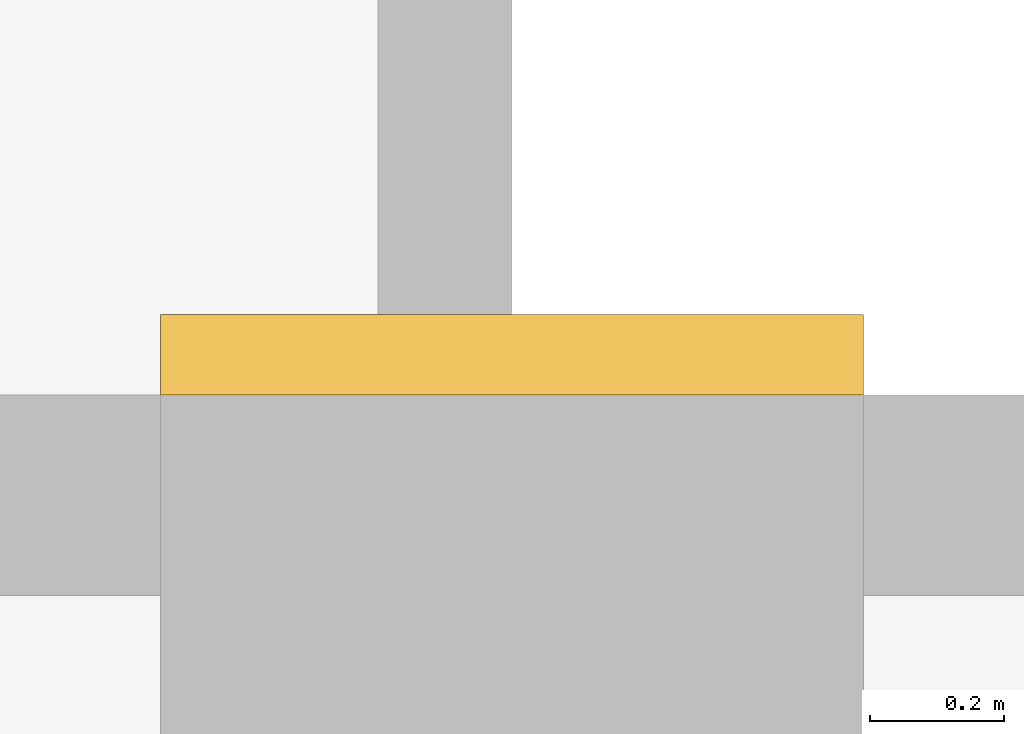
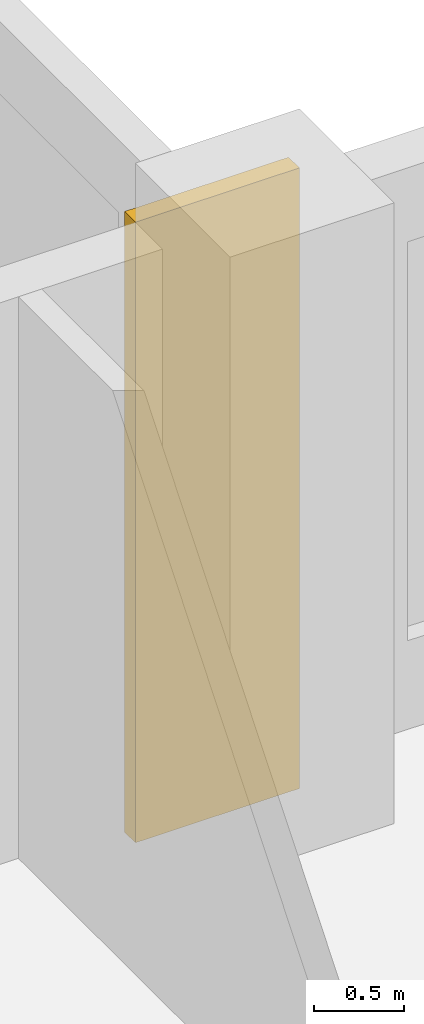
# One storey, part 14 of 14: 1 covering.
"""IFC4 building model written with IfcOpenShell, lengths in metres."""

from ifc_helpers import new_model, si_unit, direction, frame, origin, origin_2d, place, context, subcontext, project, spatial, rectangle, extrude, source, transform, mapped, material, type_object, element, save


model = new_model("IFC4")

# Units and contexts
model_context = context("Model", 3, precision=1e-05, world=origin(), true_north=direction((0.0, 1.0)))
body_context = subcontext(model_context, "Body", "Model", "MODEL_VIEW")
ifc_project = project(units=[si_unit("LENGTHUNIT", "METRE"), si_unit("AREAUNIT", "SQUARE_METRE"), si_unit("VOLUMEUNIT", "CUBIC_METRE"), si_unit("PLANEANGLEUNIT", "RADIAN"), si_unit("MASSUNIT", "GRAM", prefix="KILO")], contexts=[model_context])

# Site, building, storey
site_placement = place(None, origin())
site = spatial("IfcSite", under=ifc_project, at=site_placement, CompositionType="ELEMENT")
building_placement = place(site_placement, origin())
building = spatial("IfcBuilding", under=site, at=building_placement, Name="Aurelian Terraces", CompositionType="ELEMENT")
storey_placement = place(building_placement, frame((0.0, 0.0, 128.7)))
storey = spatial("IfcBuildingStorey", under=building, at=storey_placement, Name="L28", CompositionType="ELEMENT", Elevation=128.7)

# Covering
ifc_material = material(Name="Terracotta rainscreen cladding relief", Category="masonry")
covering_type = type_object("IfcCoveringType", Name="BAGUETTE-TC", PredefinedType="CLADDING", material=ifc_material)
shared_shape = source(origin(), body_context, "Body", "SweptSolid", [
    extrude(rectangle(XDim=1.05, YDim=0.12, at=origin_2d()), origin(), (0.0, 0.0, 1.0), 4.2),
])
covering_placement = place(storey_placement, frame((63.84, 21.06, -0.4), z_axis=(0.0, 0.0, 1.0), x_axis=(1.0, 0.0, 0.0)))
element("IfcCovering", 1, at=covering_placement, inside=storey, type_object=covering_type, Name="BAGUETTE pier L28 9", PredefinedType="CLADDING", context=body_context, shape_type="MappedRepresentation", body=[
    mapped(shared_shape, transform((0.0, 0.0, 0.0), scale=1.0)),
])

save(model, "model.ifc")
